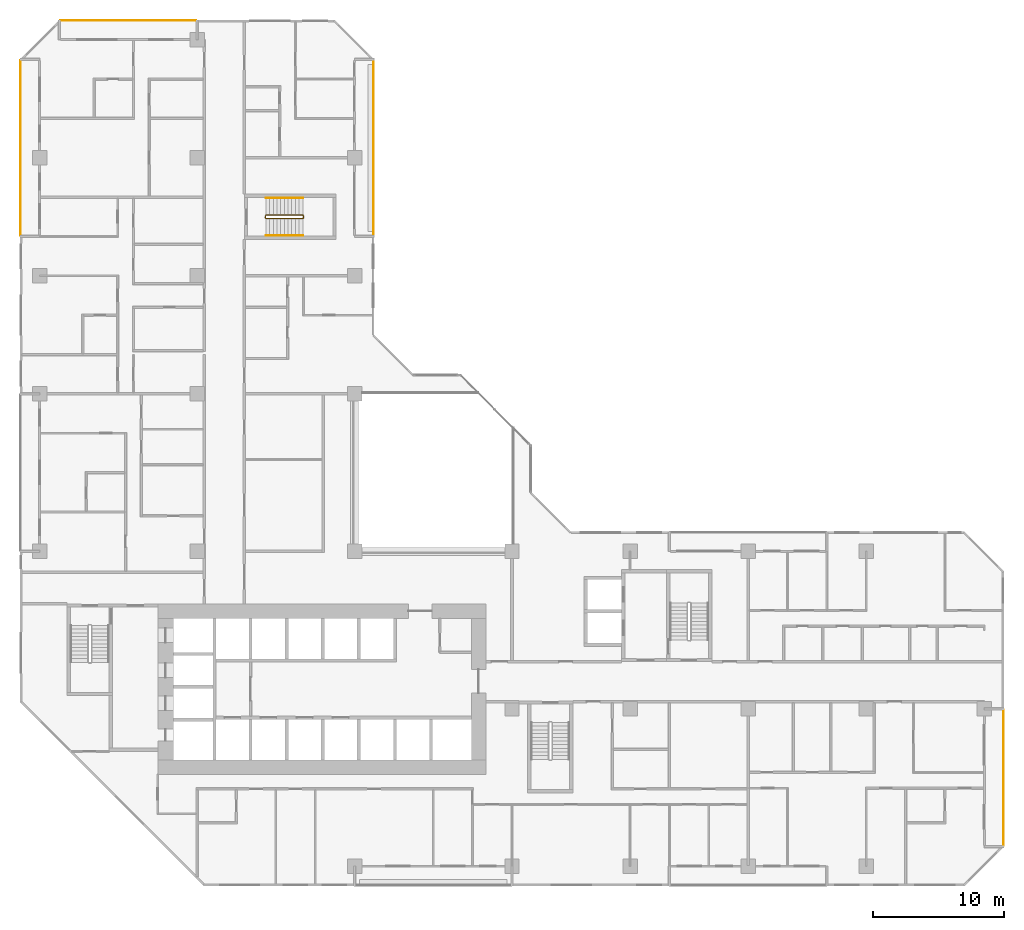
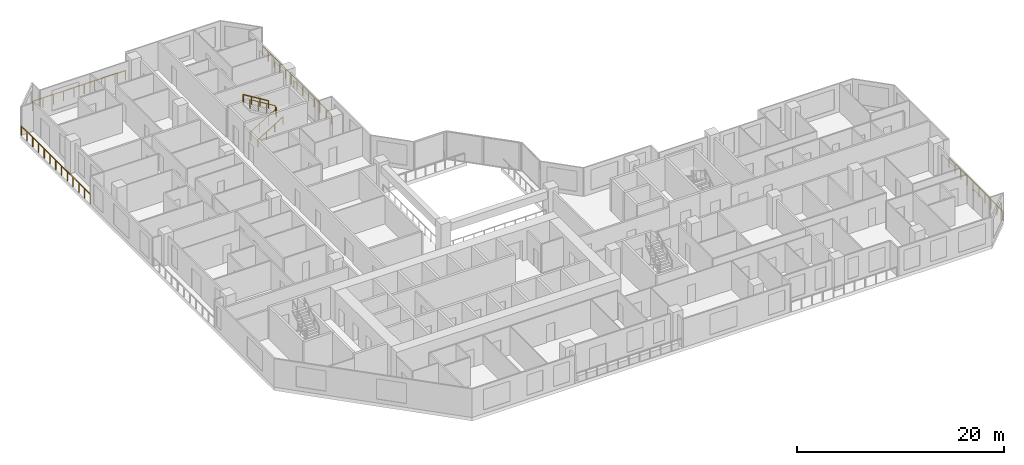
# One storey, part 15 of 15: 7 railings.
"""IFC4 building model written with IfcOpenShell, lengths in metres."""

from ifc_helpers import new_model, si_unit, direction, frame, origin, origin_2d, place, context, subcontext, project, spatial, rectangle, extrude, material, type_object, element, save


model = new_model("IFC4")

# Units and contexts
model_context = context("Model", 3, precision=1e-05, world=origin(), true_north=direction((0.0, 1.0)))
body_context = subcontext(model_context, "Body", "Model", "MODEL_VIEW")
ifc_project = project(units=[si_unit("LENGTHUNIT", "METRE"), si_unit("AREAUNIT", "SQUARE_METRE"), si_unit("VOLUMEUNIT", "CUBIC_METRE"), si_unit("PLANEANGLEUNIT", "RADIAN"), si_unit("MASSUNIT", "GRAM", prefix="KILO")], contexts=[model_context])

# Site, building, storey
site_placement = place(None, origin())
site = spatial("IfcSite", under=ifc_project, at=site_placement, CompositionType="ELEMENT")
building_placement = place(site_placement, origin())
building = spatial("IfcBuilding", under=site, at=building_placement, Name="Chenar Terraces", CompositionType="ELEMENT")
storey_placement = place(building_placement, frame((0.0, 0.0, 52.64990234375)))
storey = spatial("IfcBuildingStorey", under=building, at=storey_placement, Name="L10", CompositionType="ELEMENT", Elevation=52.64990234375)

# Railings
ifc_material_1 = material(Name="Stainless steel and glass", Category="steel")
railing_type_1 = type_object("IfcRailingType", Name="Loggia guard 1150", PredefinedType="GUARDRAIL", material=ifc_material_1)
railing_1_placement = place(storey_placement, frame((25.449951171875, 48.074951171875, 0.0)))
element("IfcRailing", 1, at=railing_1_placement, inside=storey, type_object=railing_type_1, Name="Loggia guard", PredefinedType="GUARDRAIL", context=body_context, shape_type="SweptSolid", body=[
    extrude(rectangle(XDim=0.048095703125, YDim=0.048095703125, at=origin_2d()), frame((0.0, 0.0, 1.1259765625), z_axis=(0.0, 1.0, 0.0), x_axis=(-1.0, 0.0, 0.0)), (0.0, 0.0, 1.0), 13.35009765625),
    extrude(rectangle(XDim=0.0419921875, YDim=0.0419921875, at=origin_2d()), origin(), (0.0, 0.0, 1.0), 1.101806640625),
    extrude(rectangle(XDim=0.0419921875, YDim=0.0419921875, at=origin_2d()), frame((0.0, 1.112548828125, 0.0)), (0.0, 0.0, 1.0), 1.101806640625),
    extrude(rectangle(XDim=0.0419921875, YDim=0.0419921875, at=origin_2d()), frame((0.0, 2.22509765625, 0.0)), (0.0, 0.0, 1.0), 1.101806640625),
    extrude(rectangle(XDim=0.0419921875, YDim=0.0419921875, at=origin_2d()), frame((0.0, 3.33740234375, 0.0)), (0.0, 0.0, 1.0), 1.101806640625),
    extrude(rectangle(XDim=0.0419921875, YDim=0.0419921875, at=origin_2d()), frame((0.0, 4.449951171875, 0.0)), (0.0, 0.0, 1.0), 1.101806640625),
    extrude(rectangle(XDim=0.0419921875, YDim=0.0419921875, at=origin_2d()), frame((0.0, 5.5625, 0.0)), (0.0, 0.0, 1.0), 1.101806640625),
    extrude(rectangle(XDim=0.0419921875, YDim=0.0419921875, at=origin_2d()), frame((0.0, 6.675048828125, 0.0)), (0.0, 0.0, 1.0), 1.101806640625),
    extrude(rectangle(XDim=0.0419921875, YDim=0.0419921875, at=origin_2d()), frame((0.0, 7.78759765625, 0.0)), (0.0, 0.0, 1.0), 1.101806640625),
    extrude(rectangle(XDim=0.0419921875, YDim=0.0419921875, at=origin_2d()), frame((0.0, 8.900146484375, 0.0)), (0.0, 0.0, 1.0), 1.101806640625),
    extrude(rectangle(XDim=0.0419921875, YDim=0.0419921875, at=origin_2d()), frame((0.0, 10.0126953125, 0.0)), (0.0, 0.0, 1.0), 1.101806640625),
    extrude(rectangle(XDim=0.0419921875, YDim=0.0419921875, at=origin_2d()), frame((0.0, 11.125, 0.0)), (0.0, 0.0, 1.0), 1.101806640625),
    extrude(rectangle(XDim=0.0419921875, YDim=0.0419921875, at=origin_2d()), frame((0.0, 12.237548828125, 0.0)), (0.0, 0.0, 1.0), 1.101806640625),
    extrude(rectangle(XDim=0.0419921875, YDim=0.0419921875, at=origin_2d()), frame((0.0, 13.35009765625, 0.0)), (0.0, 0.0, 1.0), 1.101806640625),
])
railing_2_placement = place(storey_placement, frame((73.449951171875, 1.574951171875, 0.0)))
element("IfcRailing", 2, at=railing_2_placement, inside=storey, type_object=railing_type_1, Name="Loggia guard", PredefinedType="GUARDRAIL", context=body_context, shape_type="SweptSolid", body=[
    extrude(rectangle(XDim=0.048095703125, YDim=0.048095703125, at=origin_2d()), frame((0.0, 0.0, 1.1259765625), z_axis=(0.0, 1.0, 0.0), x_axis=(-1.0, 0.0, 0.0)), (0.0, 0.0, 1.0), 10.35009765625),
    extrude(rectangle(XDim=0.0419921875, YDim=0.0419921875, at=origin_2d()), origin(), (0.0, 0.0, 1.0), 1.101806640625),
    extrude(rectangle(XDim=0.0419921875, YDim=0.0419921875, at=origin_2d()), frame((0.0, 1.14990234375, 0.0)), (0.0, 0.0, 1.0), 1.101806640625),
    extrude(rectangle(XDim=0.0419921875, YDim=0.0419921875, at=origin_2d()), frame((0.0, 2.300048828125, 0.0)), (0.0, 0.0, 1.0), 1.101806640625),
    extrude(rectangle(XDim=0.0419921875, YDim=0.0419921875, at=origin_2d()), frame((0.0, 3.449951171875, 0.0)), (0.0, 0.0, 1.0), 1.101806640625),
    extrude(rectangle(XDim=0.0419921875, YDim=0.0419921875, at=origin_2d()), frame((0.0, 4.60009765625, 0.0)), (0.0, 0.0, 1.0), 1.101806640625),
    extrude(rectangle(XDim=0.0419921875, YDim=0.0419921875, at=origin_2d()), frame((0.0, 5.75, 0.0)), (0.0, 0.0, 1.0), 1.101806640625),
    extrude(rectangle(XDim=0.0419921875, YDim=0.0419921875, at=origin_2d()), frame((0.0, 6.900146484375, 0.0)), (0.0, 0.0, 1.0), 1.101806640625),
    extrude(rectangle(XDim=0.0419921875, YDim=0.0419921875, at=origin_2d()), frame((0.0, 8.050048828125, 0.0)), (0.0, 0.0, 1.0), 1.101806640625),
    extrude(rectangle(XDim=0.0419921875, YDim=0.0419921875, at=origin_2d()), frame((0.0, 9.2001953125, 0.0)), (0.0, 0.0, 1.0), 1.101806640625),
    extrude(rectangle(XDim=0.0419921875, YDim=0.0419921875, at=origin_2d()), frame((0.0, 10.35009765625, 0.0)), (0.0, 0.0, 1.0), 1.101806640625),
])
railing_3_placement = place(storey_placement, frame((11.925048828125, 64.449951171875, 0.0)))
element("IfcRailing", 3, at=railing_3_placement, inside=storey, type_object=railing_type_1, Name="Loggia guard", PredefinedType="GUARDRAIL", context=body_context, shape_type="SweptSolid", body=[
    extrude(rectangle(XDim=0.048095703125, YDim=0.048095703125, at=origin_2d()), frame((0.0, 0.0, 1.1259765625), z_axis=(-1.0, 0.0, 0.0), x_axis=(0.0, -1.0, 0.0)), (0.0, 0.0, 1.0), 10.35009765625),
    extrude(rectangle(XDim=0.0419921875, YDim=0.0419921875, at=origin_2d()), origin(), (0.0, 0.0, 1.0), 1.101806640625),
    extrude(rectangle(XDim=0.0419921875, YDim=0.0419921875, at=origin_2d()), frame((-1.14990234375, 0.0, 0.0)), (0.0, 0.0, 1.0), 1.101806640625),
    extrude(rectangle(XDim=0.0419921875, YDim=0.0419921875, at=origin_2d()), frame((-2.300048828125, 0.0, 0.0)), (0.0, 0.0, 1.0), 1.101806640625),
    extrude(rectangle(XDim=0.0419921875, YDim=0.0419921875, at=origin_2d()), frame((-3.449951171875, 0.0, 0.0)), (0.0, 0.0, 1.0), 1.101806640625),
    extrude(rectangle(XDim=0.0419921875, YDim=0.0419921875, at=origin_2d()), frame((-4.60009765625, 0.0, 0.0)), (0.0, 0.0, 1.0), 1.101806640625),
    extrude(rectangle(XDim=0.0419921875, YDim=0.0419921875, at=origin_2d()), frame((-5.75, 0.0, 0.0)), (0.0, 0.0, 1.0), 1.101806640625),
    extrude(rectangle(XDim=0.0419921875, YDim=0.0419921875, at=origin_2d()), frame((-6.900146484375, 0.0, 0.0)), (0.0, 0.0, 1.0), 1.101806640625),
    extrude(rectangle(XDim=0.0419921875, YDim=0.0419921875, at=origin_2d()), frame((-8.050048828125, 0.0, 0.0)), (0.0, 0.0, 1.0), 1.101806640625),
    extrude(rectangle(XDim=0.0419921875, YDim=0.0419921875, at=origin_2d()), frame((-9.2001953125, 0.0, 0.0)), (0.0, 0.0, 1.0), 1.101806640625),
    extrude(rectangle(XDim=0.0419921875, YDim=0.0419921875, at=origin_2d()), frame((-10.35009765625, 0.0, 0.0)), (0.0, 0.0, 1.0), 1.101806640625),
])
railing_4_placement = place(storey_placement, frame((-1.449951171875, 61.425048828125, 0.0)))
element("IfcRailing", 4, at=railing_4_placement, inside=storey, type_object=railing_type_1, Name="Loggia guard", PredefinedType="GUARDRAIL", context=body_context, shape_type="SweptSolid", body=[
    extrude(rectangle(XDim=0.048095703125, YDim=0.048095703125, at=origin_2d()), frame((0.0, 0.0, 1.1259765625), z_axis=(0.0, -1.0, 0.0), x_axis=(1.0, 0.0, 0.0)), (0.0, 0.0, 1.0), 13.35009765625),
    extrude(rectangle(XDim=0.0419921875, YDim=0.0419921875, at=origin_2d()), origin(), (0.0, 0.0, 1.0), 1.101806640625),
    extrude(rectangle(XDim=0.0419921875, YDim=0.0419921875, at=origin_2d()), frame((0.0, -1.112548828125, 0.0)), (0.0, 0.0, 1.0), 1.101806640625),
    extrude(rectangle(XDim=0.0419921875, YDim=0.0419921875, at=origin_2d()), frame((0.0, -2.22509765625, 0.0)), (0.0, 0.0, 1.0), 1.101806640625),
    extrude(rectangle(XDim=0.0419921875, YDim=0.0419921875, at=origin_2d()), frame((0.0, -3.33740234375, 0.0)), (0.0, 0.0, 1.0), 1.101806640625),
    extrude(rectangle(XDim=0.0419921875, YDim=0.0419921875, at=origin_2d()), frame((0.0, -4.449951171875, 0.0)), (0.0, 0.0, 1.0), 1.101806640625),
    extrude(rectangle(XDim=0.0419921875, YDim=0.0419921875, at=origin_2d()), frame((0.0, -5.5625, 0.0)), (0.0, 0.0, 1.0), 1.101806640625),
    extrude(rectangle(XDim=0.0419921875, YDim=0.0419921875, at=origin_2d()), frame((0.0, -6.675048828125, 0.0)), (0.0, 0.0, 1.0), 1.101806640625),
    extrude(rectangle(XDim=0.0419921875, YDim=0.0419921875, at=origin_2d()), frame((0.0, -7.78759765625, 0.0)), (0.0, 0.0, 1.0), 1.101806640625),
    extrude(rectangle(XDim=0.0419921875, YDim=0.0419921875, at=origin_2d()), frame((0.0, -8.900146484375, 0.0)), (0.0, 0.0, 1.0), 1.101806640625),
    extrude(rectangle(XDim=0.0419921875, YDim=0.0419921875, at=origin_2d()), frame((0.0, -10.0126953125, 0.0)), (0.0, 0.0, 1.0), 1.101806640625),
    extrude(rectangle(XDim=0.0419921875, YDim=0.0419921875, at=origin_2d()), frame((0.0, -11.125, 0.0)), (0.0, 0.0, 1.0), 1.101806640625),
    extrude(rectangle(XDim=0.0419921875, YDim=0.0419921875, at=origin_2d()), frame((0.0, -12.237548828125, 0.0)), (0.0, 0.0, 1.0), 1.101806640625),
    extrude(rectangle(XDim=0.0419921875, YDim=0.0419921875, at=origin_2d()), frame((0.0, -13.35009765625, 0.0)), (0.0, 0.0, 1.0), 1.101806640625),
])
ifc_material_2 = material(Name="Powder-coated steel", Category="steel")
railing_type_2 = type_object("IfcRailingType", Name="Stair guard 1100", PredefinedType="GUARDRAIL", material=ifc_material_2)
railing_5_placement = place(storey_placement, frame((17.25, 49.625, 3.75)))
element("IfcRailing", 5, at=railing_5_placement, inside=storey, type_object=railing_type_2, Name="L10 ST4 stair guard 1", PredefinedType="GUARDRAIL", context=body_context, shape_type="SweptSolid", body=[
    extrude(rectangle(XDim=0.048095703125, YDim=0.048095703125, at=origin_2d()), frame((0.0, 0.0, 1.076171875), z_axis=(0.854202870247, 0.0, -0.519939858505), x_axis=(0.0, 1.0, 0.0)), (0.0, 0.0, 1.0), 3.278076171875),
    extrude(rectangle(XDim=0.048095703125, YDim=0.048095703125, at=origin_2d()), frame((2.800048828125, 0.0, -0.62841796875), z_axis=(0.270899902878, -0.270899902878, -0.923702595667), x_axis=(0.707106781187, 0.707106781187, 0.0)), (0.0, 0.0, 1.0), 0.184814453125),
    extrude(rectangle(XDim=0.048095703125, YDim=0.048095703125, at=origin_2d()), frame((2.85009765625, -0.050048828125, -0.798828125), z_axis=(0.0, -1.0, 0.0), x_axis=(1.0, 0.0, 0.0)), (0.0, 0.0, 1.0), 0.14990234375),
    extrude(rectangle(XDim=0.048095703125, YDim=0.048095703125, at=origin_2d()), frame((2.85009765625, -0.199951171875, -0.798828125), z_axis=(-0.707106781187, -0.707106781187, 0.0), x_axis=(0.707106781187, -0.707106781187, 0.0)), (0.0, 0.0, 1.0), 0.07080078125),
    extrude(rectangle(XDim=0.048095703125, YDim=0.048095703125, at=origin_2d()), frame((2.800048828125, -0.25, -0.798828125), z_axis=(-0.854202870247, 0.0, -0.519939858505), x_axis=(0.0, -1.0, 0.0)), (0.0, 0.0, 1.0), 3.278076171875),
    extrude(rectangle(XDim=0.048095703125, YDim=0.048095703125, at=origin_2d()), frame((0.0, -0.25, -2.50341796875), z_axis=(-0.270899902878, 0.270899902878, -0.923702595667), x_axis=(-0.707106781187, -0.707106781187, 0.0)), (0.0, 0.0, 1.0), 0.184814453125),
    extrude(rectangle(XDim=0.048095703125, YDim=0.048095703125, at=origin_2d()), frame((-0.050048828125, -0.199951171875, -2.673828125), z_axis=(0.0, 1.0, 0.0), x_axis=(-1.0, 0.0, 0.0)), (0.0, 0.0, 1.0), 0.14990234375),
    extrude(rectangle(XDim=0.0419921875, YDim=0.0419921875, at=origin_2d()), origin(), (0.0, 0.0, 1.0), 1.052001953125),
    extrude(rectangle(XDim=0.0419921875, YDim=0.0419921875, at=origin_2d()), frame((0.933349609375, 0.0, -0.568115234375)), (0.0, 0.0, 1.0), 1.052001953125),
    extrude(rectangle(XDim=0.0419921875, YDim=0.0419921875, at=origin_2d()), frame((1.86669921875, 0.0, -1.13623046875)), (0.0, 0.0, 1.0), 1.052001953125),
    extrude(rectangle(XDim=0.0419921875, YDim=0.0419921875, at=origin_2d()), frame((2.800048828125, 0.0, -1.704345703125)), (0.0, 0.0, 1.0), 1.052001953125),
    extrude(rectangle(XDim=0.0419921875, YDim=0.0419921875, at=origin_2d()), frame((2.85009765625, -0.050048828125, -1.875)), (0.0, 0.0, 1.0), 1.052001953125),
    extrude(rectangle(XDim=0.0419921875, YDim=0.0419921875, at=origin_2d()), frame((2.85009765625, -0.199951171875, -1.875)), (0.0, 0.0, 1.0), 1.052001953125),
    extrude(rectangle(XDim=0.0419921875, YDim=0.0419921875, at=origin_2d()), frame((2.800048828125, -0.25, -1.875)), (0.0, 0.0, 1.0), 1.052001953125),
    extrude(rectangle(XDim=0.0419921875, YDim=0.0419921875, at=origin_2d()), frame((1.86669921875, -0.25, -2.443115234375)), (0.0, 0.0, 1.0), 1.052001953125),
    extrude(rectangle(XDim=0.0419921875, YDim=0.0419921875, at=origin_2d()), frame((0.933349609375, -0.25, -3.01123046875)), (0.0, 0.0, 1.0), 1.052001953125),
    extrude(rectangle(XDim=0.0419921875, YDim=0.0419921875, at=origin_2d()), frame((0.0, -0.25, -3.579345703125)), (0.0, 0.0, 1.0), 1.052001953125),
    extrude(rectangle(XDim=0.0419921875, YDim=0.0419921875, at=origin_2d()), frame((-0.050048828125, -0.199951171875, -3.75)), (0.0, 0.0, 1.0), 1.052001953125),
    extrude(rectangle(XDim=0.0419921875, YDim=0.0419921875, at=origin_2d()), frame((-0.050048828125, -0.050048828125, -3.75)), (0.0, 0.0, 1.0), 1.052001953125),
])
ifc_material_3 = material(Name="Powder-coated steel", Category="steel")
railing_type_3 = type_object("IfcRailingType", Name="Stair handrail 900", PredefinedType="HANDRAIL", material=ifc_material_3)
railing_6_placement = place(storey_placement, frame((17.25, 48.074951171875, 0.170654296875)))
element("IfcRailing", 6, at=railing_6_placement, inside=storey, type_object=railing_type_3, Name="L10 ST4 stair handrail 1", PredefinedType="HANDRAIL", context=body_context, shape_type="SweptSolid", body=[
    extrude(rectangle(XDim=0.048095703125, YDim=0.048095703125, at=origin_2d()), frame((0.0, 0.0, 0.8759765625), z_axis=(0.854202870247, 0.0, 0.519939858505), x_axis=(0.0, 1.0, 0.0)), (0.0, 0.0, 1.0), 3.278076171875),
    extrude(rectangle(XDim=0.0419921875, YDim=0.0419921875, at=origin_2d()), origin(), (0.0, 0.0, 1.0), 0.851806640625),
    extrude(rectangle(XDim=0.0419921875, YDim=0.0419921875, at=origin_2d()), frame((0.933349609375, 0.0, 0.568115234375)), (0.0, 0.0, 1.0), 0.851806640625),
    extrude(rectangle(XDim=0.0419921875, YDim=0.0419921875, at=origin_2d()), frame((1.86669921875, 0.0, 1.13623046875)), (0.0, 0.0, 1.0), 0.851806640625),
    extrude(rectangle(XDim=0.0419921875, YDim=0.0419921875, at=origin_2d()), frame((2.800048828125, 0.0, 1.704345703125)), (0.0, 0.0, 1.0), 0.851806640625),
])
railing_7_placement = place(storey_placement, frame((20.050048828125, 50.925048828125, 2.045654296875)))
element("IfcRailing", 7, at=railing_7_placement, inside=storey, type_object=railing_type_3, Name="L10 ST4 stair handrail 2", PredefinedType="HANDRAIL", context=body_context, shape_type="SweptSolid", body=[
    extrude(rectangle(XDim=0.048095703125, YDim=0.048095703125, at=origin_2d()), frame((0.0, 0.0, 0.8759765625), z_axis=(-0.854202870247, 0.0, 0.519939858505), x_axis=(0.0, -1.0, 0.0)), (0.0, 0.0, 1.0), 3.278076171875),
    extrude(rectangle(XDim=0.0419921875, YDim=0.0419921875, at=origin_2d()), origin(), (0.0, 0.0, 1.0), 0.851806640625),
    extrude(rectangle(XDim=0.0419921875, YDim=0.0419921875, at=origin_2d()), frame((-0.933349609375, 0.0, 0.568115234375)), (0.0, 0.0, 1.0), 0.851806640625),
    extrude(rectangle(XDim=0.0419921875, YDim=0.0419921875, at=origin_2d()), frame((-1.86669921875, 0.0, 1.13623046875)), (0.0, 0.0, 1.0), 0.851806640625),
    extrude(rectangle(XDim=0.0419921875, YDim=0.0419921875, at=origin_2d()), frame((-2.800048828125, 0.0, 1.704345703125)), (0.0, 0.0, 1.0), 0.851806640625),
])

save(model, "model.ifc")
